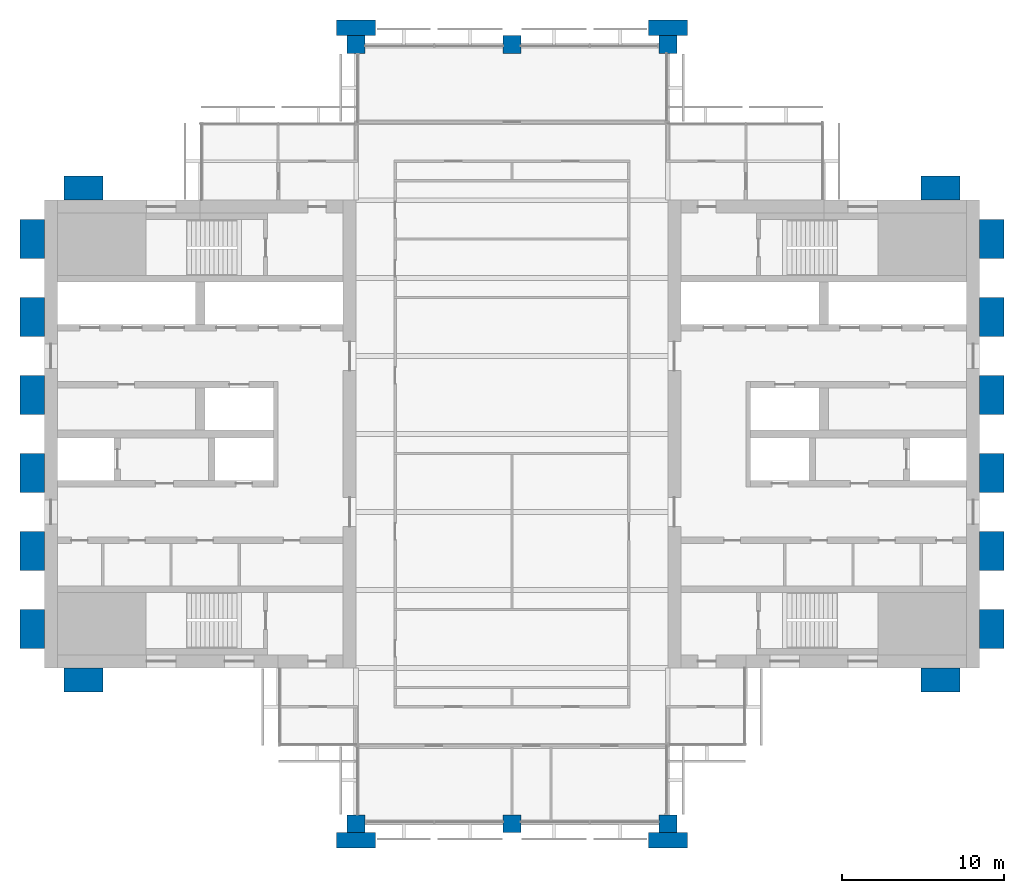
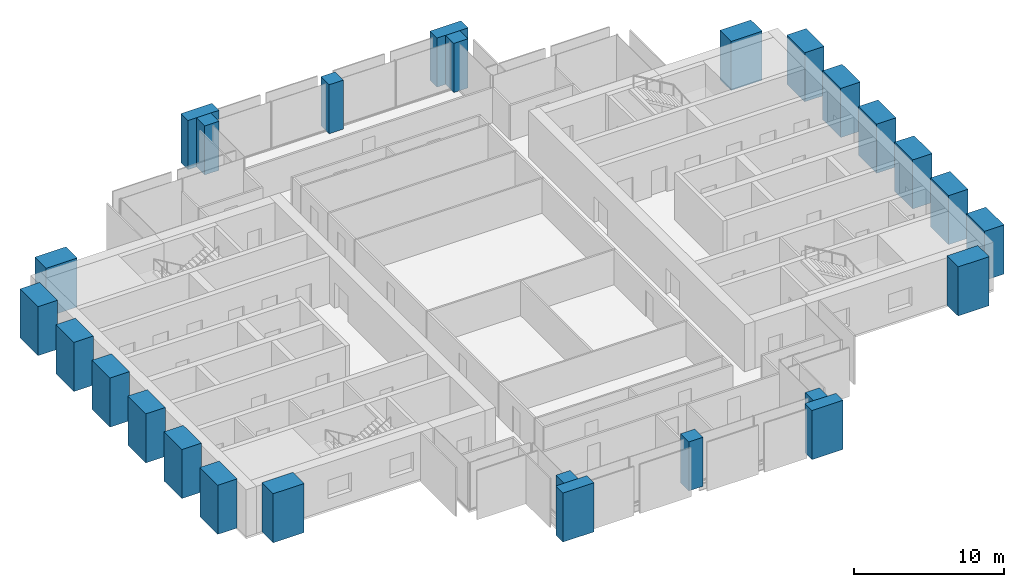
# One storey, part 1 of 13: 26 columns.
"""IFC4 building model written with IfcOpenShell, lengths in metres."""

from ifc_helpers import new_model, si_unit, direction, frame, origin, origin_2d, place, context, subcontext, project, spatial, rectangle, extrude, material, material_profile, profile_set, type_object, element, save


model = new_model("IFC4")

# Units and contexts
model_context = context("Model", 3, precision=1e-05, world=origin(), true_north=direction((0.0, 1.0)))
body_context = subcontext(model_context, "Body", "Model", "MODEL_VIEW")
ifc_project = project(units=[si_unit("LENGTHUNIT", "METRE"), si_unit("AREAUNIT", "SQUARE_METRE"), si_unit("VOLUMEUNIT", "CUBIC_METRE"), si_unit("PLANEANGLEUNIT", "RADIAN"), si_unit("MASSUNIT", "GRAM", prefix="KILO")], contexts=[model_context])

# Site, building, storey
site_placement = place(None, origin())
site = spatial("IfcSite", under=ifc_project, at=site_placement, CompositionType="ELEMENT")
building_placement = place(site_placement, origin())
building = spatial("IfcBuilding", under=site, at=building_placement, Name="Baori Bourse Tower", CompositionType="ELEMENT")
storey_placement = place(building_placement, frame((0.0, 0.0, 241.199951171875)))
storey = spatial("IfcBuildingStorey", under=building, at=storey_placement, Name="L53", CompositionType="ELEMENT", Elevation=241.199951171875)

# Columns
ifc_material_1 = material(Name="Concrete f'c 60 MPa", Category="concrete")
ifc_material_profile_1 = material_profile(ifc_material_1, rectangle(XDim=2.39990234375, YDim=0.949951171875, at=origin_2d()), Name="RC 2400x950")
ifc_profile_set_1 = profile_set([ifc_material_profile_1], Name="Concrete f'c 60 MPa")
column_type_1 = type_object("IfcColumnType", Name="FN3 Brick pilaster 2400x950", PredefinedType="PILASTER", material=ifc_profile_set_1)
for number, where, z_axis, x_axis, name in (
    (1, (19.199951171875, -1.02490234375, 0.0), (0.0, 0.0, 1.0), (1.0, 0.0, 0.0), "Brick pilaster L53 17"),
    (2, (38.39990234375, -1.02490234375, 0.0), (0.0, 0.0, 1.0), (1.0, 0.0, 0.0), "Brick pilaster L53 18"),
    (3, (19.199951171875, 49.02490234375, 0.0), (0.0, 0.0, 1.0), (1.0, 0.0, 0.0), "Brick pilaster L53 19"),
    (4, (38.39990234375, 49.02490234375, 0.0), (0.0, 0.0, 1.0), (1.0, 0.0, 0.0), "Brick pilaster L53 20"),
):
    element("IfcColumn", number, at=place(storey_placement, frame(where, z_axis=z_axis, x_axis=x_axis)), inside=storey, type_object=column_type_1, Name=name, PredefinedType="PILASTER", context=body_context, shape_type="SweptSolid", body=[
        extrude(rectangle(XDim=2.39990234375, YDim=0.949951171875, at=origin_2d()), origin(), (0.0, 0.0, 1.0), 4.0),
    ])
ifc_material_2 = material(Name="Concrete f'c 60 MPa", Category="concrete")
ifc_material_profile_2 = material_profile(ifc_material_2, rectangle(XDim=2.39990234375, YDim=1.5, at=origin_2d()), Name="RC 2400x1500")
ifc_profile_set_2 = profile_set([ifc_material_profile_2], Name="Concrete f'c 60 MPa")
column_type_2 = type_object("IfcColumnType", Name="FN4 Brick flank pilaster 2400x1500", PredefinedType="PILASTER", material=ifc_profile_set_2)
for number, where, z_axis, x_axis, name in (
    (5, (55.199951171875, 8.85009765625, 0.0), (0.0, 0.0, 1.0), (1.0, 0.0, 0.0), "Brick pilaster L53 1"),
    (6, (58.35009765625, 12.0, 0.0), (0.0, 0.0, 1.0), (0.0, 1.0, 0.0), "Brick pilaster L53 2"),
    (7, (58.35009765625, 16.800048828125, 0.0), (0.0, 0.0, 1.0), (0.0, 1.0, 0.0), "Brick pilaster L53 3"),
    (8, (58.35009765625, 21.60009765625, 0.0), (0.0, 0.0, 1.0), (0.0, 1.0, 0.0), "Brick pilaster L53 4"),
    (9, (58.35009765625, 26.39990234375, 0.0), (0.0, 0.0, 1.0), (0.0, 1.0, 0.0), "Brick pilaster L53 5"),
    (10, (58.35009765625, 31.199951171875, 0.0), (0.0, 0.0, 1.0), (0.0, 1.0, 0.0), "Brick pilaster L53 6"),
    (11, (58.35009765625, 36.0, 0.0), (0.0, 0.0, 1.0), (0.0, 1.0, 0.0), "Brick pilaster L53 7"),
    (12, (55.199951171875, 39.14990234375, 0.0), (0.0, 0.0, 1.0), (1.0, 0.0, 0.0), "Brick pilaster L53 8"),
    (13, (2.39990234375, 39.14990234375, 0.0), (0.0, 0.0, 1.0), (1.0, 0.0, 0.0), "Brick pilaster L53 9"),
    (14, (-0.75, 12.0, 0.0), (0.0, 0.0, 1.0), (0.0, 1.0, 0.0), "Brick pilaster L53 10"),
    (15, (-0.75, 16.800048828125, 0.0), (0.0, 0.0, 1.0), (0.0, 1.0, 0.0), "Brick pilaster L53 11"),
    (16, (-0.75, 21.60009765625, 0.0), (0.0, 0.0, 1.0), (0.0, 1.0, 0.0), "Brick pilaster L53 12"),
    (17, (-0.75, 26.39990234375, 0.0), (0.0, 0.0, 1.0), (0.0, 1.0, 0.0), "Brick pilaster L53 13"),
    (18, (-0.75, 31.199951171875, 0.0), (0.0, 0.0, 1.0), (0.0, 1.0, 0.0), "Brick pilaster L53 14"),
    (19, (-0.75, 36.0, 0.0), (0.0, 0.0, 1.0), (0.0, 1.0, 0.0), "Brick pilaster L53 15"),
    (20, (2.39990234375, 8.85009765625, 0.0), (0.0, 0.0, 1.0), (1.0, 0.0, 0.0), "Brick pilaster L53 16"),
):
    element("IfcColumn", number, at=place(storey_placement, frame(where, z_axis=z_axis, x_axis=x_axis)), inside=storey, type_object=column_type_2, Name=name, PredefinedType="PILASTER", context=body_context, shape_type="SweptSolid", body=[
        extrude(rectangle(XDim=2.39990234375, YDim=1.5, at=origin_2d()), origin(), (0.0, 0.0, 1.0), 4.0),
    ])
ifc_material_3 = material(Name="Concrete f'c 50 MPa", Category="concrete")
ifc_material_profile_3 = material_profile(ifc_material_3, rectangle(XDim=1.10009765625, YDim=1.10009765625, at=origin_2d()), Name="RC 1100x1100")
ifc_profile_set_3 = profile_set([ifc_material_profile_3], Name="Concrete f'c 50 MPa")
column_type_3 = type_object("IfcColumnType", Name="Perimeter column 50 RC 1100x1100", PredefinedType="COLUMN", material=ifc_profile_set_3)
for number, where, z_axis, x_axis, name in (
    (21, (19.199951171875, 0.0, 0.0), (0.0, 0.0, 1.0), (1.0, 0.0, 0.0), "Perimeter column L53"),
    (22, (28.800048828125, 0.0, 0.0), (0.0, 0.0, 1.0), (1.0, 0.0, 0.0), "Perimeter column L53"),
    (23, (38.39990234375, 0.0, 0.0), (0.0, 0.0, 1.0), (1.0, 0.0, 0.0), "Perimeter column L53"),
    (24, (19.199951171875, 48.0, 0.0), (0.0, 0.0, 1.0), (1.0, 0.0, 0.0), "Perimeter column L53"),
    (25, (28.800048828125, 48.0, 0.0), (0.0, 0.0, 1.0), (1.0, 0.0, 0.0), "Perimeter column L53"),
    (26, (38.39990234375, 48.0, 0.0), (0.0, 0.0, 1.0), (1.0, 0.0, 0.0), "Perimeter column L53"),
):
    element("IfcColumn", number, at=place(storey_placement, frame(where, z_axis=z_axis, x_axis=x_axis)), inside=storey, type_object=column_type_3, Name=name, PredefinedType="COLUMN", context=body_context, shape_type="SweptSolid", body=[
        extrude(rectangle(XDim=1.10009765625, YDim=1.10009765625, at=origin_2d()), origin(), (0.0, 0.0, 1.0), 4.0),
    ])

save(model, "model.ifc")
